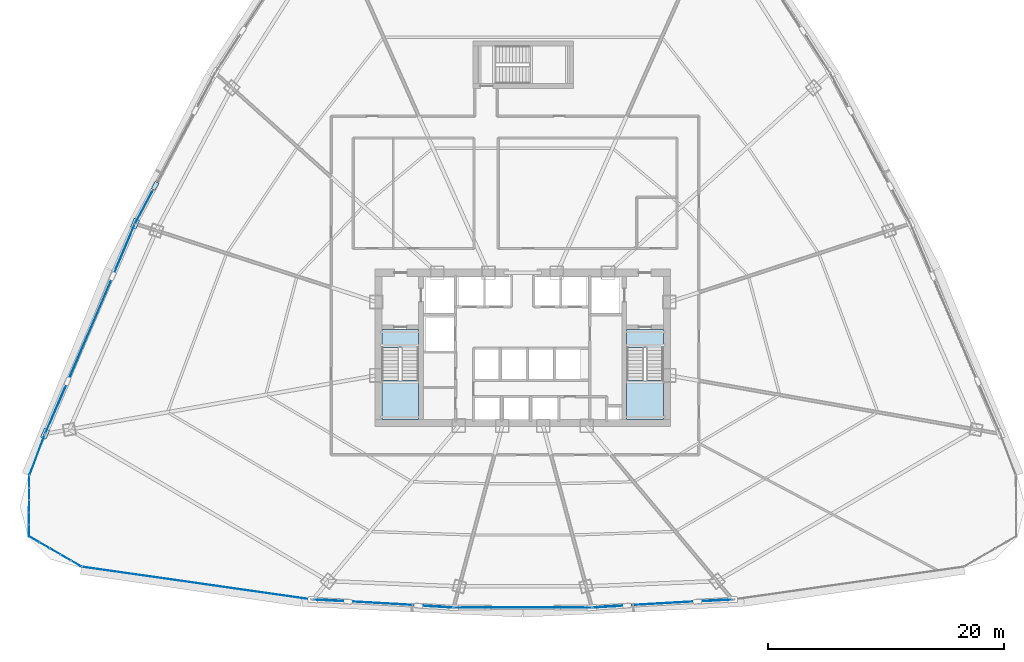
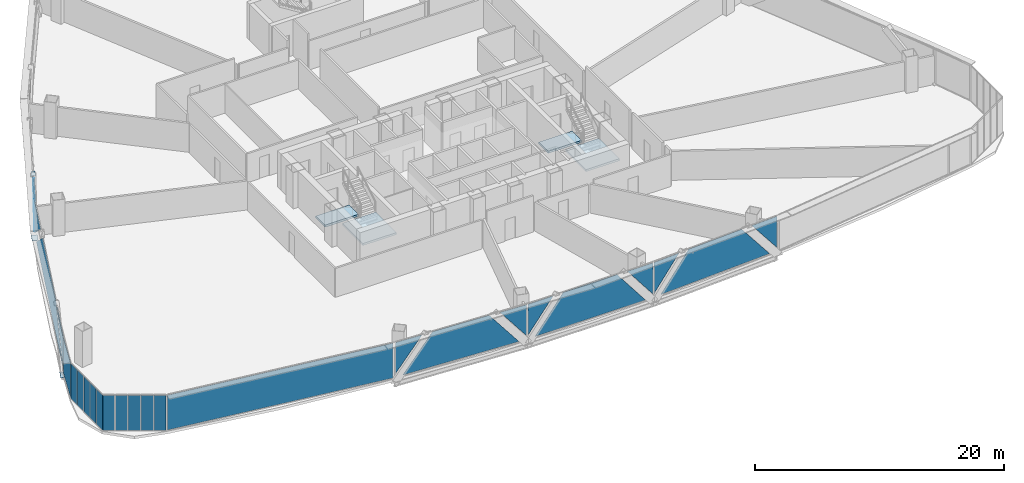
# One storey, part 28 of 39: 28 plates, 4 slabs, 11 elements without a shape of their own.
"""IFC4 building model written with IfcOpenShell, lengths in metres."""

from ifc_helpers import new_model, si_unit, direction, frame, origin, origin_2d, place, context, subcontext, project, spatial, polyline, rectangle, outline, extrude, source, transform, mapped, material, layer, layer_set, type_object, element, aggregate, save


model = new_model("IFC4")

# Units and contexts
model_context = context("Model", 3, precision=1e-05, world=origin(), true_north=direction((0.0, 1.0)))
body_context = subcontext(model_context, "Body", "Model", "MODEL_VIEW")
ifc_project = project(units=[si_unit("LENGTHUNIT", "METRE"), si_unit("AREAUNIT", "SQUARE_METRE"), si_unit("VOLUMEUNIT", "CUBIC_METRE"), si_unit("PLANEANGLEUNIT", "RADIAN"), si_unit("MASSUNIT", "GRAM", prefix="KILO"), si_unit("THERMODYNAMICTEMPERATUREUNIT", "KELVIN"), si_unit("POWERUNIT", "WATT")], contexts=[model_context])

# Site, building, storey
site_placement = place(None, origin())
site = spatial("IfcSite", under=ifc_project, at=site_placement, CompositionType="ELEMENT")
building_placement = place(site_placement, origin())
building = spatial("IfcBuilding", under=site, at=building_placement, Name="Yunzhuo Pagoda Commons", CompositionType="ELEMENT")
storey_placement = place(building_placement, frame((0.0, 0.0, 96.3798828125)))
storey = spatial("IfcBuildingStorey", under=building, at=storey_placement, Name="L24", CompositionType="ELEMENT", Elevation=96.3798828125)

# Curtain wall, plates
ifc_material_1 = material(Name="Anodized aluminium 6063-T6", Category="aluminium")
ifc_layer_1 = layer(ifc_material_1, 0.1650390625)
ifc_layer_set_1 = layer_set([ifc_layer_1], Name="Anodized aluminium 6063-T6")
curtain_wall_type_1 = type_object("IfcCurtainWallType", Name="CW-LOW Low-Zone Ribbon Curtain Wall", PredefinedType="NOTDEFINED", material=ifc_layer_set_1)
curtain_wall_1_placement = place(storey_placement, origin())
curtain_wall_1 = element("IfcCurtainWall", 1, at=curtain_wall_1_placement, inside=storey, type_object=curtain_wall_type_1, Name="L24 curtain wall CW-L24-F1B2", PredefinedType="NOTDEFINED")
ifc_material_2 = material(Name="Tempered low-e double glazing", Category="glass")
ifc_layer_2 = layer(ifc_material_2, 0.028076171875)
ifc_layer_set_2 = layer_set([ifc_layer_2], Name="Tempered low-e double glazing")
plate_type_1 = type_object("IfcPlateType", Name="CW-LOW-P Low-E Double Glazing 28", PredefinedType="CURTAIN_PANEL", material=ifc_layer_set_2)
plate_1_placement = place(storey_placement, frame((31.506591796875, 12.489013671875, 1.95947265625), z_axis=(-0.057299493103, -0.998357034377, 0.0), x_axis=(0.998357034377, -0.057299493103, 0.0)))
plate_1 = element("IfcPlate", 2, at=plate_1_placement, type_object=plate_type_1, Name="CW panel 1.1 lite 1", PredefinedType="CURTAIN_PANEL", context=body_context, shape_type="SweptSolid", body=[
    extrude(outline(polyline([(-1.192138671875, -1.5205078125), (1.1923828125, 1.5205078125), (-1.192138671875, 1.5205078125), (-1.192138671875, -1.5205078125)])), origin(), (0.0, 0.0, 1.0), 0.028076171875),
])
plate_2_placement = place(storey_placement, frame((36.202392578125, 12.24951171875, 1.77001953125), z_axis=(-0.057299493103, -0.998357034377, 0.0), x_axis=(0.998357034377, -0.057299493103, 0.0)))
plate_2 = element("IfcPlate", 3, at=plate_2_placement, type_object=plate_type_1, Name="CW panel 1.1 lite 2", PredefinedType="CURTAIN_PANEL", context=body_context, shape_type="SweptSolid", body=[
    extrude(outline(polyline([(-5.225341796875, -1.7099609375), (5.225341796875, -1.7099609375), (2.543701171875, 1.7099609375), (-2.543701171875, 1.7099609375), (-5.225341796875, -1.7099609375)])), origin(), (0.0, 0.0, 1.0), 0.028076171875),
])
plate_3_placement = place(storey_placement, frame((40.89453125, 11.9501953125, 1.95947265625), z_axis=(-0.057299493103, -0.998357034377, 0.0), x_axis=(0.998357034377, -0.057299493103, 0.0)))
plate_3 = element("IfcPlate", 4, at=plate_3_placement, type_object=plate_type_1, Name="CW panel 1.1 lite 3", PredefinedType="CURTAIN_PANEL", context=body_context, shape_type="SweptSolid", body=[
    extrude(outline(polyline([(-1.1923828125, 1.5205078125), (1.192138671875, -1.5205078125), (1.192138671875, 1.5205078125), (-1.1923828125, 1.5205078125)])), origin(), (0.0, 0.0, 1.0), 0.028076171875),
])
aggregate(curtain_wall_1, [plate_1, plate_2, plate_3])

curtain_wall_2_placement = place(storey_placement, origin())
curtain_wall_2 = element("IfcCurtainWall", 5, at=curtain_wall_2_placement, inside=storey, type_object=curtain_wall_type_1, Name="L24 curtain wall CW-L24-F1B3", PredefinedType="NOTDEFINED")
plate_4_placement = place(storey_placement, frame((43.381591796875, 11.87841796875, 1.9638671875), z_axis=(0.0, -1.0, 0.0), x_axis=(1.0, 0.0, 0.0)))
plate_4 = element("IfcPlate", 6, at=plate_4_placement, type_object=plate_type_1, Name="CW panel 1.1 lite 1", PredefinedType="CURTAIN_PANEL", context=body_context, shape_type="SweptSolid", body=[
    extrude(outline(polyline([(-1.167236328125, -1.516357421875), (1.167236328125, 1.516357421875), (-1.167236328125, 1.516357421875), (-1.167236328125, -1.516357421875)])), origin(), (0.0, 0.0, 1.0), 0.028076171875),
])
plate_5_placement = place(storey_placement, frame((48.0, 11.908203125, 1.77001953125), z_axis=(0.0, -1.0, 0.0), x_axis=(1.0, 0.0, 0.0)))
plate_5 = element("IfcPlate", 7, at=plate_5_placement, type_object=plate_type_1, Name="CW panel 1.1 lite 2", PredefinedType="CURTAIN_PANEL", context=body_context, shape_type="SweptSolid", body=[
    extrude(outline(polyline([(-5.125, -1.7099609375), (5.125, -1.7099609375), (2.491943359375, 1.7099609375), (-2.491943359375, 1.7099609375), (-5.125, -1.7099609375)])), origin(), (0.0, 0.0, 1.0), 0.028076171875),
])
plate_6_placement = place(storey_placement, frame((52.618408203125, 11.87841796875, 1.9638671875), z_axis=(0.0, -1.0, 0.0), x_axis=(1.0, 0.0, 0.0)))
plate_6 = element("IfcPlate", 8, at=plate_6_placement, type_object=plate_type_1, Name="CW panel 1.1 lite 3", PredefinedType="CURTAIN_PANEL", context=body_context, shape_type="SweptSolid", body=[
    extrude(outline(polyline([(-1.167236328125, 1.516357421875), (1.167236328125, -1.516357421875), (1.167236328125, 1.516357421875), (-1.167236328125, 1.516357421875)])), origin(), (0.0, 0.0, 1.0), 0.028076171875),
])
aggregate(curtain_wall_2, [plate_4, plate_5, plate_6])

curtain_wall_3_placement = place(storey_placement, origin())
curtain_wall_3 = element("IfcCurtainWall", 9, at=curtain_wall_3_placement, inside=storey, type_object=curtain_wall_type_1, Name="L24 curtain wall CW-L24-F1B4", PredefinedType="NOTDEFINED")
plate_7_placement = place(storey_placement, frame((55.10546875, 11.9501953125, 1.95947265625), z_axis=(0.057299493103, -0.998357034377, 0.0), x_axis=(0.998357034377, 0.057299493103, 0.0)))
plate_7 = element("IfcPlate", 10, at=plate_7_placement, type_object=plate_type_1, Name="CW panel 1.1 lite 1", PredefinedType="CURTAIN_PANEL", context=body_context, shape_type="SweptSolid", body=[
    extrude(outline(polyline([(-1.192138671875, -1.5205078125), (1.1923828125, 1.5205078125), (-1.192138671875, 1.5205078125), (-1.192138671875, -1.5205078125)])), origin(), (0.0, 0.0, 1.0), 0.028076171875),
])
plate_8_placement = place(storey_placement, frame((59.797607421875, 12.24951171875, 1.77001953125), z_axis=(0.057299493103, -0.998357034377, 0.0), x_axis=(0.998357034377, 0.057299493103, 0.0)))
plate_8 = element("IfcPlate", 11, at=plate_8_placement, type_object=plate_type_1, Name="CW panel 1.1 lite 2", PredefinedType="CURTAIN_PANEL", context=body_context, shape_type="SweptSolid", body=[
    extrude(outline(polyline([(-5.225341796875, -1.7099609375), (5.225341796875, -1.7099609375), (2.543701171875, 1.7099609375), (-2.543701171875, 1.7099609375), (-5.225341796875, -1.7099609375)])), origin(), (0.0, 0.0, 1.0), 0.028076171875),
])
plate_9_placement = place(storey_placement, frame((64.493408203125, 12.489013671875, 1.95947265625), z_axis=(0.057299493103, -0.998357034377, 0.0), x_axis=(0.998357034377, 0.057299493103, 0.0)))
plate_9 = element("IfcPlate", 12, at=plate_9_placement, type_object=plate_type_1, Name="CW panel 1.1 lite 3", PredefinedType="CURTAIN_PANEL", context=body_context, shape_type="SweptSolid", body=[
    extrude(outline(polyline([(-1.1923828125, 1.5205078125), (1.192138671875, -1.5205078125), (1.192138671875, 1.5205078125), (-1.1923828125, 1.5205078125)])), origin(), (0.0, 0.0, 1.0), 0.028076171875),
])
aggregate(curtain_wall_3, [plate_7, plate_8, plate_9])

# Curtain wall, plate
curtain_wall_4_placement = place(storey_placement, origin())
curtain_wall_4 = element("IfcCurtainWall", 13, at=curtain_wall_4_placement, inside=storey, type_object=curtain_wall_type_1, Name="L24 curtain wall CW-L24-F3B3", PredefinedType="NOTDEFINED")
plate_10_placement = place(storey_placement, frame((15.943115234375, 45.717041015625, 1.919921875), z_axis=(-0.882975865639, 0.469418385558, 0.0), x_axis=(-0.469418385558, -0.882975865639, 0.0)))
plate_10 = element("IfcPlate", 14, at=plate_10_placement, type_object=plate_type_1, Name="CW panel 1.1 lite 3", PredefinedType="CURTAIN_PANEL", context=body_context, shape_type="SweptSolid", body=[
    extrude(outline(polyline([(-1.48388671875, 1.56005859375), (1.483642578125, -1.56005859375), (1.483642578125, 1.56005859375), (-1.48388671875, 1.56005859375)])), origin(), (0.0, 0.0, 1.0), 0.028076171875),
])
aggregate(curtain_wall_4, [plate_10])

# Curtain wall, plates
curtain_wall_5_placement = place(storey_placement, origin())
curtain_wall_5 = element("IfcCurtainWall", 15, at=curtain_wall_5_placement, inside=storey, type_object=curtain_wall_type_1, Name="L24 curtain wall CW-L24-F3B4", PredefinedType="NOTDEFINED")
plate_11_placement = place(storey_placement, frame((14.388671875, 42.415771484375, 1.877197265625), z_axis=(-0.919382894415, 0.393363818185, 0.0), x_axis=(-0.393363818185, -0.919382894415, 0.0)))
plate_11 = element("IfcPlate", 16, at=plate_11_placement, type_object=plate_type_1, Name="CW panel 1.1 lite 1", PredefinedType="CURTAIN_PANEL", context=body_context, shape_type="SweptSolid", body=[
    extrude(outline(polyline([(-2.039306640625, -1.602783203125), (2.039306640625, 1.602783203125), (-2.039306640625, 1.602783203125), (-2.039306640625, -1.602783203125)])), origin(), (0.0, 0.0, 1.0), 0.028076171875),
])
plate_12_placement = place(storey_placement, frame((11.4404296875, 35.448486328125, 1.77001953125), z_axis=(-0.919382894415, 0.393363818185, 0.0), x_axis=(-0.393363818185, -0.919382894415, 0.0)))
plate_12 = element("IfcPlate", 17, at=plate_12_placement, type_object=plate_type_1, Name="CW panel 1.1 lite 2", PredefinedType="CURTAIN_PANEL", context=body_context, shape_type="SweptSolid", body=[
    extrude(outline(polyline([(-8.647705078125, -1.7099609375), (8.647705078125, -1.7099609375), (4.29638671875, 1.7099609375), (-4.29638671875, 1.7099609375), (-8.647705078125, -1.7099609375)])), origin(), (0.0, 0.0, 1.0), 0.028076171875),
])
plate_13_placement = place(storey_placement, frame((8.436767578125, 28.5048828125, 1.877197265625), z_axis=(-0.919382894415, 0.393363818185, 0.0), x_axis=(-0.393363818185, -0.919382894415, 0.0)))
plate_13 = element("IfcPlate", 18, at=plate_13_placement, type_object=plate_type_1, Name="CW panel 1.1 lite 3", PredefinedType="CURTAIN_PANEL", context=body_context, shape_type="SweptSolid", body=[
    extrude(outline(polyline([(-2.039306640625, 1.602783203125), (2.039306640625, -1.602783203125), (2.039306640625, 1.602783203125), (-2.039306640625, 1.602783203125)])), origin(), (0.0, 0.0, 1.0), 0.028076171875),
])
aggregate(curtain_wall_5, [plate_11, plate_12, plate_13])

# Stair, slabs
ifc_material_3 = material(Name="Concrete C40", Category="concrete")
stair_type_1 = type_object("IfcStairType", Name="ST-C1 Core Smokeproof Stair ST1", PredefinedType="HALF_TURN_STAIR", material=ifc_material_3)
stair_1_placement = place(storey_placement, origin())
stair_1 = element("IfcStair", 19, at=stair_1_placement, inside=storey, type_object=stair_type_1, Name="L24 Core smokeproof stair ST1", PredefinedType="HALF_TURN_STAIR")
ifc_layer_3 = layer(ifc_material_3, 0.199951171875)
ifc_layer_set_3 = layer_set([ifc_layer_3], Name="Concrete C40")
slab_type_1 = type_object("IfcSlabType", Name="SL-LND1 Stair Landing Slab 200", PredefinedType="LANDING", material=ifc_layer_set_3)
slab_1_placement = place(storey_placement, frame((0.0, 0.0, 1.7001953125)))
slab_1 = element("IfcSlab", 20, at=slab_1_placement, type_object=slab_type_1, Name="ST1 landing 1", PredefinedType="LANDING", context=body_context, shape_type="SweptSolid", body=[
    extrude(outline(polyline([(36.10009765625, 31.10009765625), (36.10009765625, 27.800048828125), (39.199951171875, 27.800048828125), (39.199951171875, 31.10009765625), (36.10009765625, 31.10009765625)])), origin(), (0.0, 0.0, 1.0), 0.199951171875),
])
slab_2_placement = place(storey_placement, frame((0.0, 0.0, -0.199951171875)))
slab_2 = element("IfcSlab", 21, at=slab_2_placement, type_object=slab_type_1, Name="ST1 floor landing L24", PredefinedType="LANDING", context=body_context, shape_type="SweptSolid", body=[
    extrude(outline(polyline([(36.10009765625, 35.39990234375), (36.10009765625, 33.89990234375), (39.199951171875, 33.89990234375), (39.199951171875, 35.39990234375), (36.10009765625, 35.39990234375)])), origin(), (0.0, 0.0, 1.0), 0.199951171875),
])
aggregate(stair_1, [slab_1, slab_2])

stair_type_2 = type_object("IfcStairType", Name="ST-C2 Core Smokeproof Stair ST2", PredefinedType="HALF_TURN_STAIR", material=ifc_material_3)
stair_2_placement = place(storey_placement, origin())
stair_2 = element("IfcStair", 22, at=stair_2_placement, inside=storey, type_object=stair_type_2, Name="L24 Core smokeproof stair ST2", PredefinedType="HALF_TURN_STAIR")
ifc_layer_4 = layer(ifc_material_3, 0.201904296875)
ifc_layer_set_4 = layer_set([ifc_layer_4], Name="Concrete C40")
slab_type_2 = type_object("IfcSlabType", Name="SL-LND2 Stair Landing Slab 202", PredefinedType="LANDING", material=ifc_layer_set_4)
slab_3_placement = place(storey_placement, frame((0.0, 0.0, 1.7001953125)))
slab_3 = element("IfcSlab", 23, at=slab_3_placement, type_object=slab_type_2, Name="ST2 landing 1", PredefinedType="LANDING", context=body_context, shape_type="SweptSolid", body=[
    extrude(outline(polyline([(56.800048828125, 31.10009765625), (56.800048828125, 27.800048828125), (59.89990234375, 27.800048828125), (59.89990234375, 31.10009765625), (56.800048828125, 31.10009765625)])), origin(), (0.0, 0.0, 1.0), 0.199951171875),
])
slab_4_placement = place(storey_placement, frame((0.0, 0.0, -0.199951171875)))
slab_4 = element("IfcSlab", 24, at=slab_4_placement, type_object=slab_type_2, Name="ST2 floor landing L24", PredefinedType="LANDING", context=body_context, shape_type="SweptSolid", body=[
    extrude(outline(polyline([(56.800048828125, 35.39990234375), (56.800048828125, 33.89990234375), (59.89990234375, 33.89990234375), (59.89990234375, 35.39990234375), (56.800048828125, 35.39990234375)])), origin(), (0.0, 0.0, 1.0), 0.199951171875),
])
aggregate(stair_2, [slab_3, slab_4])

# Plates
ifc_material_4 = material(Name="Structural steel Q355B", Category="steel")
ifc_layer_5 = layer(ifc_material_4, 0.028076171875)
ifc_layer_set_5 = layer_set([ifc_layer_5], Name="Structural steel Q355B")
plate_type_2 = type_object("IfcPlateType", Name="SP-ND1 Lattice Node Cap Plate 800x500x28", PredefinedType="USERDEFINED", material=ifc_layer_set_5)
shared_shape_1 = source(origin(), body_context, "Body", "SweptSolid", [
    extrude(rectangle(XDim=0.800048828125, YDim=0.5, at=origin_2d()), origin(), (0.0, 0.0, 1.0), 0.028076171875),
])
for number, where, z_axis, x_axis, name in (
    (25, (15.20361328125, 44.356201171875, -0.27392578125), (0.0, 0.0, 1.0), (-0.393364322102, -0.919382678811, 0.0), "L24 diamond node plate F3.3A"),
    (26, (7.59619140625, 26.57568359375, -0.27392578125), (0.0, 0.0, 1.0), (-0.393364322102, -0.919382678811, 0.0), "L24 diamond node plate F3.3B"),
):
    element("IfcPlate", number, at=place(storey_placement, frame(where, z_axis=z_axis, x_axis=x_axis)), inside=storey, type_object=plate_type_2, Name=name, ObjectType="STIFFENER_PLATE", PredefinedType="USERDEFINED", context=body_context, shape_type="MappedRepresentation", body=[
        mapped(shared_shape_1, transform((0.0, 0.0, 0.0), scale=1.0)),
    ])
shared_shape_2 = source(origin(), body_context, "Body", "SweptSolid", [
    extrude(rectangle(XDim=0.699951171875, YDim=0.35009765625, at=origin_2d()), origin(), (0.0, 0.0, 1.0), 0.035888671875),
])
plate_14_placement = place(storey_placement, frame((16.89990234375, 47.547119140625, 3.501953125), z_axis=(0.0, 0.0, 1.0), x_axis=(-0.469425331115, -0.882972173122, 0.0)))
element("IfcPlate", 27, at=plate_14_placement, inside=storey, type_object=plate_type_2, Name="L24 setback lattice tie plate F3.2R", ObjectType="STIFFENER_PLATE", PredefinedType="USERDEFINED", context=body_context, shape_type="MappedRepresentation", body=[
    mapped(shared_shape_2, transform((0.0, 0.0, 0.0), scale=1.0)),
])

# Curtain wall, plate
curtain_wall_6_placement = place(storey_placement, origin())
curtain_wall_6 = element("IfcCurtainWall", 28, at=curtain_wall_6_placement, inside=storey, type_object=curtain_wall_type_1, Name="L24 curtain wall CW-L24-F1B1", PredefinedType="NOTDEFINED")
shared_shape_3 = source(origin(), body_context, "Body", "SweptSolid", [
    extrude(rectangle(XDim=19.5625, YDim=0.028076171875, at=origin_2d()), origin(), (0.0, 0.0, 1.0), 3.419921875),
])
plate_15_placement = place(storey_placement, frame((20.427978515625, 13.94384765625, 0.06005859375), z_axis=(0.0, 0.0, 1.0), x_axis=(0.990041803855, -0.140773671614, 0.0)))
plate_15 = element("IfcPlate", 29, at=plate_15_placement, type_object=plate_type_1, Name="CW panel 1.1", PredefinedType="CURTAIN_PANEL", context=body_context, shape_type="MappedRepresentation", body=[
    mapped(shared_shape_3, transform((0.0, 0.0, 0.0), scale=1.0)),
])
aggregate(curtain_wall_6, [plate_15])

curtain_wall_7_placement = place(storey_placement, origin())
curtain_wall_7 = element("IfcCurtainWall", 30, at=curtain_wall_7_placement, inside=storey, type_object=curtain_wall_type_1, Name="L24 curtain wall CW-L24-F3B5", PredefinedType="NOTDEFINED")
shared_shape_4 = source(origin(), body_context, "Body", "SweptSolid", [
    extrude(rectangle(XDim=3.582763671875, YDim=0.028076171875, at=origin_2d()), origin(), (0.0, 0.0, 1.0), 3.419921875),
])
plate_16_placement = place(storey_placement, frame((6.913330078125, 24.768798828125, 0.06005859375), z_axis=(0.0, 0.0, 1.0), x_axis=(-0.353448231461, -0.935454086355, 0.0)))
plate_16 = element("IfcPlate", 31, at=plate_16_placement, type_object=plate_type_1, Name="CW panel 1.1", PredefinedType="CURTAIN_PANEL", context=body_context, shape_type="MappedRepresentation", body=[
    mapped(shared_shape_4, transform((0.0, 0.0, 0.0), scale=1.0)),
])
aggregate(curtain_wall_7, [plate_16])

# Curtain wall, plates
ifc_layer_6 = layer(ifc_material_1, 0.1298828125)
ifc_layer_set_6 = layer_set([ifc_layer_6], Name="Anodized aluminium 6063-T6")
curtain_wall_type_2 = type_object("IfcCurtainWallType", Name="CW-VTX Rounded Corner Curtain Wall", PredefinedType="NOTDEFINED", material=ifc_layer_set_6)
curtain_wall_8_placement = place(storey_placement, origin())
curtain_wall_8 = element("IfcCurtainWall", 32, at=curtain_wall_8_placement, inside=storey, type_object=curtain_wall_type_2, Name="L24 curtain wall CW-L24-VTX1S1", PredefinedType="NOTDEFINED")
ifc_layer_7 = layer(ifc_material_2, 0.02587890625)
ifc_layer_set_7 = layer_set([ifc_layer_7], Name="Tempered low-e double glazing")
plate_type_3 = type_object("IfcPlateType", Name="CW-VTX-P Low-E Double Glazing 26", PredefinedType="CURTAIN_PANEL", material=ifc_layer_set_7)
shared_shape_5 = source(origin(), body_context, "Body", "SweptSolid", [
    extrude(rectangle(XDim=0.953125, YDim=0.028076171875, at=origin_2d()), origin(), (0.0, 0.0, 1.0), 3.429931640625),
])
plate_17_placement = place(storey_placement, frame((6.25537109375, 22.500732421875, 0.05517578125), z_axis=(0.0, 0.0, 1.0), x_axis=(-0.003572992237, -0.999993616843, 0.0)))
plate_17 = element("IfcPlate", 33, at=plate_17_placement, type_object=plate_type_3, Name="CW panel 1.1", PredefinedType="CURTAIN_PANEL", context=body_context, shape_type="MappedRepresentation", body=[
    mapped(shared_shape_5, transform((0.0, 0.0, 0.0), scale=1.0)),
])
plate_18_placement = place(storey_placement, frame((6.24072265625, 18.38623046875, 0.05517578125), z_axis=(0.0, 0.0, 1.0), x_axis=(-0.003572992237, -0.999993616843, 0.0)))
plate_18 = element("IfcPlate", 34, at=plate_18_placement, type_object=plate_type_3, Name="CW panel 5.1", PredefinedType="CURTAIN_PANEL", context=body_context, shape_type="MappedRepresentation", body=[
    mapped(shared_shape_5, transform((0.0, 0.0, 0.0), scale=1.0)),
])

curtain_wall_9_placement = place(storey_placement, origin())
curtain_wall_9 = element("IfcCurtainWall", 35, at=curtain_wall_9_placement, inside=storey, type_object=curtain_wall_type_2, Name="L24 curtain wall CW-L24-VTX1S2", PredefinedType="NOTDEFINED")
plate_19_placement = place(storey_placement, frame((6.658935546875, 17.65771484375, 0.05517578125), z_axis=(0.0, 0.0, 1.0), x_axis=(0.865426726249, -0.501035509214, 0.0)))
plate_19 = element("IfcPlate", 36, at=plate_19_placement, type_object=plate_type_3, Name="CW panel 1.1", PredefinedType="CURTAIN_PANEL", context=body_context, shape_type="MappedRepresentation", body=[
    mapped(shared_shape_5, transform((0.0, 0.0, 0.0), scale=1.0)),
])
plate_20_placement = place(storey_placement, frame((10.2197265625, 15.59619140625, 0.05517578125), z_axis=(0.0, 0.0, 1.0), x_axis=(0.865426726249, -0.501035509214, 0.0)))
plate_20 = element("IfcPlate", 37, at=plate_20_placement, type_object=plate_type_3, Name="CW panel 5.1", PredefinedType="CURTAIN_PANEL", context=body_context, shape_type="MappedRepresentation", body=[
    mapped(shared_shape_5, transform((0.0, 0.0, 0.0), scale=1.0)),
])

# Plate
shared_shape_6 = source(origin(), body_context, "Body", "SweptSolid", [
    extrude(rectangle(XDim=0.98046875, YDim=0.028076171875, at=origin_2d()), origin(), (0.0, 0.0, 1.0), 3.429931640625),
])
plate_21_placement = place(storey_placement, frame((6.251708984375, 21.47900390625, 0.05517578125), z_axis=(0.0, 0.0, 1.0), x_axis=(-0.003572992237, -0.999993616843, 0.0)))
plate_21 = element("IfcPlate", 38, at=plate_21_placement, type_object=plate_type_3, Name="CW panel 2.1", PredefinedType="CURTAIN_PANEL", context=body_context, shape_type="MappedRepresentation", body=[
    mapped(shared_shape_6, transform((0.0, 0.0, 0.0), scale=1.0)),
])

plate_22_placement = place(storey_placement, frame((6.248046875, 20.443359375, 0.05517578125), z_axis=(0.0, 0.0, 1.0), x_axis=(-0.003572992237, -0.999993616843, 0.0)))
plate_22 = element("IfcPlate", 39, at=plate_22_placement, type_object=plate_type_3, Name="CW panel 3.1", PredefinedType="CURTAIN_PANEL", context=body_context, shape_type="MappedRepresentation", body=[
    mapped(shared_shape_6, transform((0.0, 0.0, 0.0), scale=1.0)),
])

plate_23_placement = place(storey_placement, frame((6.244384765625, 19.407958984375, 0.05517578125), z_axis=(0.0, 0.0, 1.0), x_axis=(-0.003572992237, -0.999993616843, 0.0)))
plate_23 = element("IfcPlate", 40, at=plate_23_placement, type_object=plate_type_3, Name="CW panel 4.1", PredefinedType="CURTAIN_PANEL", context=body_context, shape_type="MappedRepresentation", body=[
    mapped(shared_shape_6, transform((0.0, 0.0, 0.0), scale=1.0)),
])

aggregate(curtain_wall_8, [plate_17, plate_21, plate_22, plate_23, plate_18])

plate_24_placement = place(storey_placement, frame((7.543212890625, 17.145751953125, 0.05517578125), z_axis=(0.0, 0.0, 1.0), x_axis=(0.865426726249, -0.501035509214, 0.0)))
plate_24 = element("IfcPlate", 41, at=plate_24_placement, type_object=plate_type_3, Name="CW panel 2.1", PredefinedType="CURTAIN_PANEL", context=body_context, shape_type="MappedRepresentation", body=[
    mapped(shared_shape_6, transform((0.0, 0.0, 0.0), scale=1.0)),
])

plate_25_placement = place(storey_placement, frame((8.439453125, 16.626953125, 0.05517578125), z_axis=(0.0, 0.0, 1.0), x_axis=(0.865426726249, -0.501035509214, 0.0)))
plate_25 = element("IfcPlate", 42, at=plate_25_placement, type_object=plate_type_3, Name="CW panel 3.1", PredefinedType="CURTAIN_PANEL", context=body_context, shape_type="MappedRepresentation", body=[
    mapped(shared_shape_6, transform((0.0, 0.0, 0.0), scale=1.0)),
])

plate_26_placement = place(storey_placement, frame((9.33544921875, 16.108154296875, 0.05517578125), z_axis=(0.0, 0.0, 1.0), x_axis=(0.865426726249, -0.501035509214, 0.0)))
plate_26 = element("IfcPlate", 43, at=plate_26_placement, type_object=plate_type_3, Name="CW panel 4.1", PredefinedType="CURTAIN_PANEL", context=body_context, shape_type="MappedRepresentation", body=[
    mapped(shared_shape_6, transform((0.0, 0.0, 0.0), scale=1.0)),
])

aggregate(curtain_wall_9, [plate_19, plate_24, plate_25, plate_26, plate_20])

save(model, "model.ifc")
